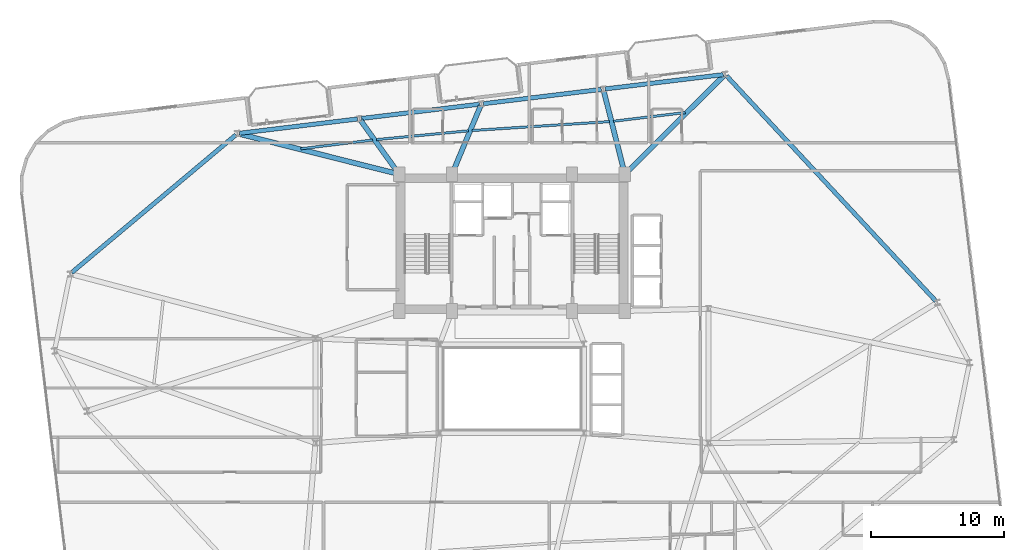
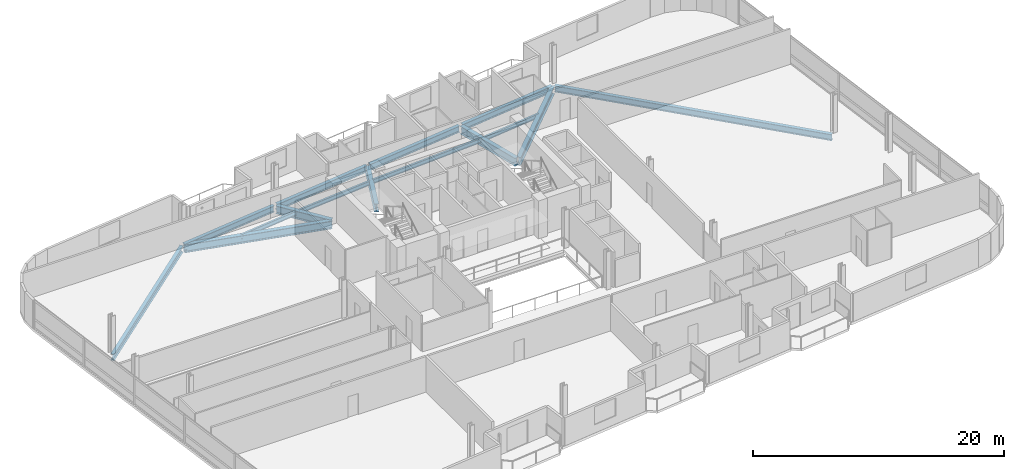
# One storey, part 9 of 22: 15 beams.
"""IFC4 building model written with IfcOpenShell, lengths in metres."""

from ifc_helpers import new_model, si_unit, direction, frame, origin, origin_2d, place, context, subcontext, project, spatial, i_section, extrude, material, material_profile, profile_set, type_object, element, save


model = new_model("IFC4")

# Units and contexts
model_context = context("Model", 3, precision=1e-05, world=origin(), true_north=direction((0.0, 1.0)))
body_context = subcontext(model_context, "Body", "Model", "MODEL_VIEW")
ifc_project = project(units=[si_unit("LENGTHUNIT", "METRE"), si_unit("AREAUNIT", "SQUARE_METRE"), si_unit("VOLUMEUNIT", "CUBIC_METRE"), si_unit("PLANEANGLEUNIT", "RADIAN"), si_unit("MASSUNIT", "GRAM", prefix="KILO")], contexts=[model_context])

# Site, building, storey
site_placement = place(None, origin())
site = spatial("IfcSite", under=ifc_project, at=site_placement, CompositionType="ELEMENT")
building_placement = place(site_placement, origin())
building = spatial("IfcBuilding", under=site, at=building_placement, Name="Varnelok Gate Tower", CompositionType="ELEMENT")
storey_placement = place(building_placement, frame((0.0, 0.0, 185.699951171875)))
storey = spatial("IfcBuildingStorey", under=building, at=storey_placement, Name="L47", CompositionType="ELEMENT", Elevation=185.699951171875)

# Beams
ifc_material = material(Name="Structural Steel ASTM A992 Grade 50", Category="steel")
ifc_material_profile_1 = material_profile(ifc_material, i_section(OverallWidth=0.180908203125, OverallDepth=0.4169921875, WebThickness=0.010986328125, FlangeThickness=0.018310546875, FilletRadius=0.013916015625, at=origin_2d()), Name="W16X57")
ifc_profile_set_1 = profile_set([ifc_material_profile_1], Name="Structural Steel ASTM A992 Grade 50")
beam_type_1 = type_object("IfcBeamType", Name="BM-JST-W16X57", PredefinedType="JOIST", material=ifc_profile_set_1)
beam_1_placement = place(storey_placement, frame((52.24658203125, 43.693603515625, -0.45849609375), z_axis=(-0.992731675719, -0.120348743339, 0.0), x_axis=(0.120348743339, -0.992731675719, 0.0)))
element("IfcBeam", 1, at=beam_1_placement, inside=storey, type_object=beam_type_1, Name="L47 Sector Floor Joist 7", PredefinedType="JOIST", context=body_context, shape_type="SweptSolid", body=[
    extrude(i_section(OverallWidth=0.180908203125, OverallDepth=0.4169921875, WebThickness=0.010986328125, FlangeThickness=0.018310546875, FilletRadius=0.013916015625, at=origin_2d()), origin(), (0.0, 0.0, 1.0), 5.454833984375),
])
beam_2_placement = place(storey_placement, frame((46.552490234375, 43.01123046875, -0.45849609375), z_axis=(-0.997902783228, -0.064730481427, 0.0), x_axis=(0.064730481427, -0.997902783228, 0.0)))
element("IfcBeam", 2, at=beam_2_placement, inside=storey, type_object=beam_type_1, Name="L47 Sector Floor Joist 8", PredefinedType="JOIST", context=body_context, shape_type="SweptSolid", body=[
    extrude(i_section(OverallWidth=0.180908203125, OverallDepth=0.4169921875, WebThickness=0.010986328125, FlangeThickness=0.018310546875, FilletRadius=0.013916015625, at=origin_2d()), origin(), (0.0, 0.0, 1.0), 10.38330078125),
])
beam_3_placement = place(storey_placement, frame((35.912109375, 42.31689453125, -0.45849609375), z_axis=(-0.995443289549, -0.095355426129, 0.0), x_axis=(0.095355426129, -0.995443289549, 0.0)))
element("IfcBeam", 3, at=beam_3_placement, inside=storey, type_object=beam_type_1, Name="L47 Sector Floor Joist 9", PredefinedType="JOIST", context=body_context, shape_type="SweptSolid", body=[
    extrude(i_section(OverallWidth=0.180908203125, OverallDepth=0.4169921875, WebThickness=0.010986328125, FlangeThickness=0.018310546875, FilletRadius=0.013916015625, at=origin_2d()), origin(), (0.0, 0.0, 1.0), 6.958984375),
])
beam_4_placement = place(storey_placement, frame((28.70654296875, 41.623046875, -0.45849609375), z_axis=(-0.992737021941, -0.120304635272, 0.0), x_axis=(0.120304635272, -0.992737021941, 0.0)))
element("IfcBeam", 4, at=beam_4_placement, inside=storey, type_object=beam_type_1, Name="L47 Sector Floor Joist 10", PredefinedType="JOIST", context=body_context, shape_type="SweptSolid", body=[
    extrude(i_section(OverallWidth=0.180908203125, OverallDepth=0.4169921875, WebThickness=0.010986328125, FlangeThickness=0.018310546875, FilletRadius=0.013916015625, at=origin_2d()), origin(), (0.0, 0.0, 1.0), 5.454833984375),
])
ifc_material_profile_2 = material_profile(ifc_material, i_section(OverallWidth=0.381103515625, OverallDepth=0.77294921875, WebThickness=0.0166015625, FlangeThickness=0.027099609375, FilletRadius=0.02197265625, at=origin_2d()), Name="W30X173")
ifc_profile_set_2 = profile_set([ifc_material_profile_2], Name="Structural Steel ASTM A992 Grade 50")
beam_type_2 = type_object("IfcBeamType", Name="BM-PRI-W30X173", PredefinedType="BEAM", material=ifc_profile_set_2)
beam_5_placement = place(storey_placement, frame((47.806396484375, 39.15576171875, -0.636474609375), z_axis=(0.708989690383, 0.705218844707, 0.0), x_axis=(-0.705218844707, 0.708989690383, 0.0)))
element("IfcBeam", 5, at=beam_5_placement, inside=storey, type_object=beam_type_2, Name="L47 Radial Floor Girder 9", PredefinedType="BEAM", context=body_context, shape_type="SweptSolid", body=[
    extrude(i_section(OverallWidth=0.381103515625, OverallDepth=0.77294921875, WebThickness=0.0166015625, FlangeThickness=0.027099609375, FilletRadius=0.02197265625, at=origin_2d()), origin(), (0.0, 0.0, 1.0), 10.359130859375),
])
beam_6_placement = place(storey_placement, frame((47.6630859375, 39.1953125, -0.636474609375), z_axis=(-0.246004343354, 0.969268725922, 0.0), x_axis=(-0.969268725922, -0.246004343354, 0.0)))
element("IfcBeam", 6, at=beam_6_placement, inside=storey, type_object=beam_type_2, Name="L47 Radial Floor Girder 10", PredefinedType="BEAM", context=body_context, shape_type="SweptSolid", body=[
    extrude(i_section(OverallWidth=0.381103515625, OverallDepth=0.77294921875, WebThickness=0.0166015625, FlangeThickness=0.027099609375, FilletRadius=0.02197265625, at=origin_2d()), origin(), (0.0, 0.0, 1.0), 6.306884765625),
])
beam_7_placement = place(storey_placement, frame((34.73779296875, 39.1884765625, -0.636474609375), z_axis=(0.38573799398, 0.922608367619, 0.0), x_axis=(-0.922608367619, 0.38573799398, 0.0)))
element("IfcBeam", 7, at=beam_7_placement, inside=storey, type_object=beam_type_2, Name="L47 Radial Floor Girder 11", PredefinedType="BEAM", context=body_context, shape_type="SweptSolid", body=[
    extrude(i_section(OverallWidth=0.381103515625, OverallDepth=0.77294921875, WebThickness=0.0166015625, FlangeThickness=0.027099609375, FilletRadius=0.02197265625, at=origin_2d()), origin(), (0.0, 0.0, 1.0), 5.434326171875),
])
beam_8_placement = place(storey_placement, frame((30.61279296875, 39.172119140625, -0.636474609375), z_axis=(-0.582178250272, 0.81306118153, 0.0), x_axis=(-0.81306118153, -0.582178250272, 0.0)))
element("IfcBeam", 8, at=beam_8_placement, inside=storey, type_object=beam_type_2, Name="L47 Radial Floor Girder 12", PredefinedType="BEAM", context=body_context, shape_type="SweptSolid", body=[
    extrude(i_section(OverallWidth=0.381103515625, OverallDepth=0.77294921875, WebThickness=0.0166015625, FlangeThickness=0.027099609375, FilletRadius=0.02197265625, at=origin_2d()), origin(), (0.0, 0.0, 1.0), 4.837646484375),
])
beam_9_placement = place(storey_placement, frame((30.554443359375, 39.086669921875, -0.636474609375), z_axis=(-0.969752143123, 0.244091746906, 0.0), x_axis=(-0.244091746906, -0.969752143123, 0.0)))
element("IfcBeam", 9, at=beam_9_placement, inside=storey, type_object=beam_type_2, Name="L47 Radial Floor Girder 13", PredefinedType="BEAM", context=body_context, shape_type="SweptSolid", body=[
    extrude(i_section(OverallWidth=0.381103515625, OverallDepth=0.77294921875, WebThickness=0.0166015625, FlangeThickness=0.027099609375, FilletRadius=0.02197265625, at=origin_2d()), origin(), (0.0, 0.0, 1.0), 12.25341796875),
])
ifc_material_profile_3 = material_profile(ifc_material, i_section(OverallWidth=0.323974609375, OverallDepth=0.611083984375, WebThickness=0.0126953125, FlangeThickness=0.01904296875, FilletRadius=0.01806640625, at=origin_2d()), Name="W24X104")
ifc_profile_set_3 = profile_set([ifc_material_profile_3], Name="Structural Steel ASTM A992 Grade 50")
beam_type_3 = type_object("IfcBeamType", Name="BM-SPN-W24X104", PredefinedType="SPANDREL", material=ifc_profile_set_3)
beam_10_placement = place(storey_placement, frame((71.123291015625, 29.49365234375, -0.555419921875), z_axis=(-0.680734113922, 0.732530590585, 0.0), x_axis=(-0.732530590585, -0.680734113922, 0.0)))
element("IfcBeam", 10, at=beam_10_placement, inside=storey, type_object=beam_type_3, Name="L47 Perimeter Spandrel Beam 8", PredefinedType="SPANDREL", context=body_context, shape_type="SweptSolid", body=[
    extrude(i_section(OverallWidth=0.323974609375, OverallDepth=0.611083984375, WebThickness=0.0126953125, FlangeThickness=0.01904296875, FilletRadius=0.01806640625, at=origin_2d()), origin(), (0.0, 0.0, 1.0), 23.1572265625),
])
for number, where, z_axis, x_axis, name in (
    (11, (55.1083984375, 46.548828125, -0.555419921875), (-0.992734670707, -0.120324035735, 0.0), (0.120324035735, -0.992734670707, 0.0), "L47 Perimeter Spandrel Beam 9"),
    (12, (45.92578125, 45.435791015625, -0.555419921875), (-0.99273141198, -0.120350918849, 0.0), (0.120350918849, -0.99273141198, 0.0), "L47 Perimeter Spandrel Beam 10"),
    (13, (36.742919921875, 44.322509765625, -0.555419921875), (-0.992734670707, -0.120324035735, 0.0), (0.120324035735, -0.992734670707, 0.0), "L47 Perimeter Spandrel Beam 11"),
    (14, (27.56005859375, 43.209228515625, -0.555419921875), (-0.992734670707, -0.120324035735, 0.0), (0.120324035735, -0.992734670707, 0.0), "L47 Perimeter Spandrel Beam 12"),
):
    element("IfcBeam", number, at=place(storey_placement, frame(where, z_axis=z_axis, x_axis=x_axis)), inside=storey, type_object=beam_type_3, Name=name, PredefinedType="SPANDREL", context=body_context, shape_type="SweptSolid", body=[
        extrude(i_section(OverallWidth=0.323974609375, OverallDepth=0.611083984375, WebThickness=0.0126953125, FlangeThickness=0.01904296875, FilletRadius=0.01806640625, at=origin_2d()), origin(), (0.0, 0.0, 1.0), 8.949951171875),
    ])
beam_11_placement = place(storey_placement, frame((18.411376953125, 42.017822265625, -0.555419921875), z_axis=(-0.766099582792, -0.642721891059, 0.0), x_axis=(0.642721891059, -0.766099582792, 0.0)))
element("IfcBeam", 15, at=beam_11_placement, inside=storey, type_object=beam_type_3, Name="L47 Perimeter Spandrel Beam 13", PredefinedType="SPANDREL", context=body_context, shape_type="SweptSolid", body=[
    extrude(i_section(OverallWidth=0.323974609375, OverallDepth=0.611083984375, WebThickness=0.0126953125, FlangeThickness=0.01904296875, FilletRadius=0.01806640625, at=origin_2d()), origin(), (0.0, 0.0, 1.0), 16.151123046875),
])

save(model, "model.ifc")
